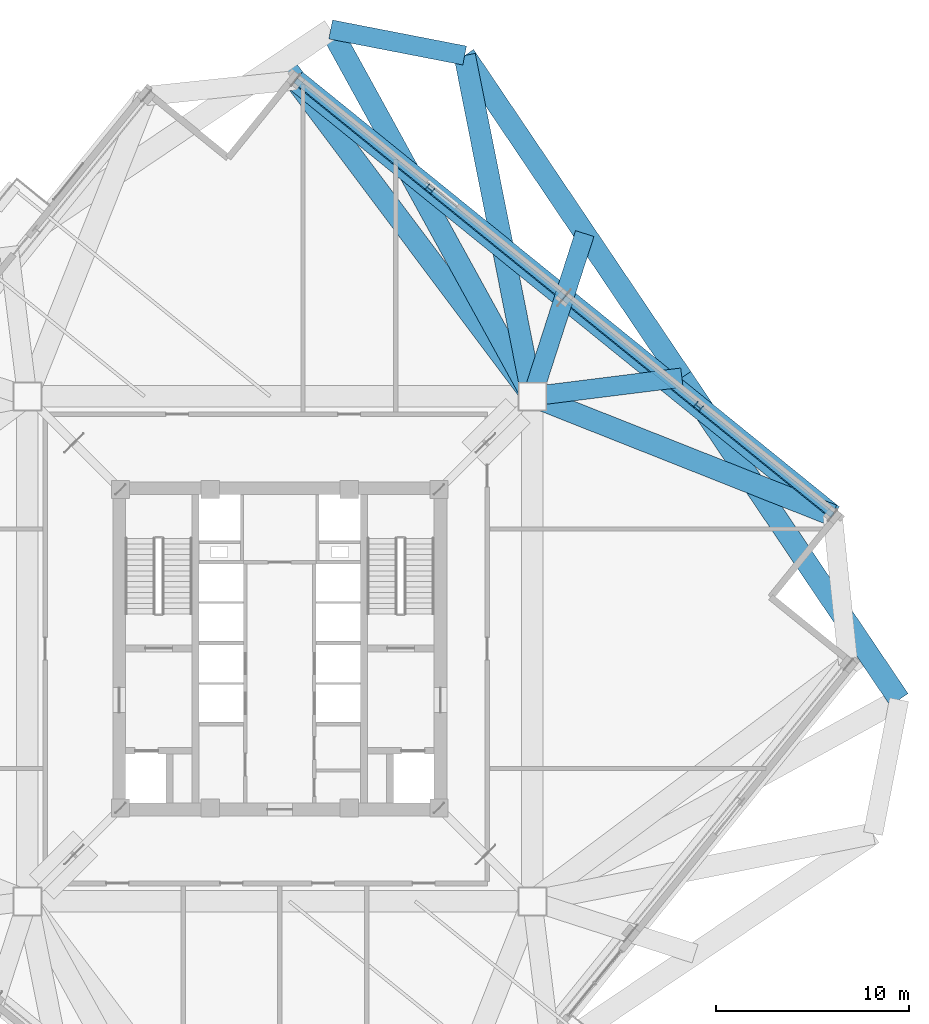
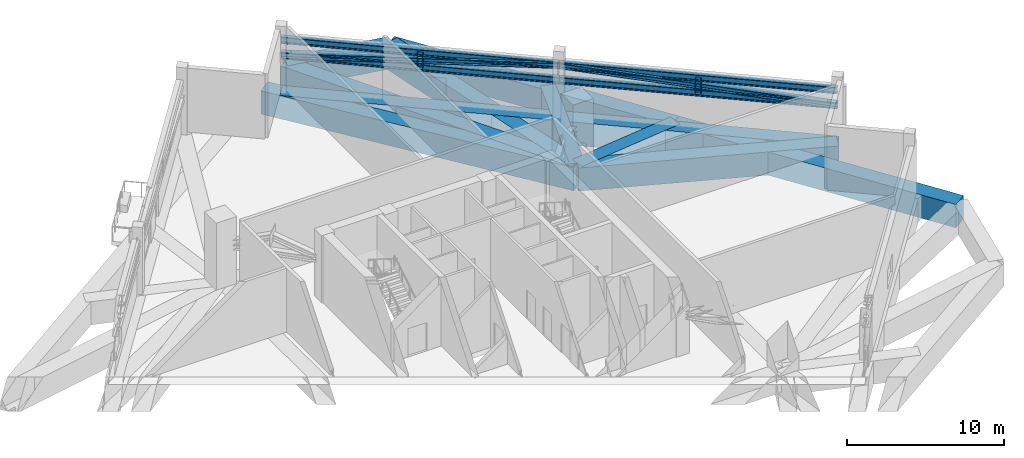
# One storey, part 11 of 22: 11 beams, 8 members.
"""IFC4 building model written with IfcOpenShell, lengths in metres."""

from ifc_helpers import new_model, si_unit, direction, frame, origin, origin_2d, place, context, subcontext, project, spatial, rectangle, i_section, extrude, source, transform, mapped, material, material_profile, profile_set, type_object, element, save


model = new_model("IFC4")

# Units and contexts
model_context = context("Model", 3, precision=1e-05, world=origin(), true_north=direction((0.0, 1.0)))
body_context = subcontext(model_context, "Body", "Model", "MODEL_VIEW")
ifc_project = project(units=[si_unit("LENGTHUNIT", "METRE"), si_unit("AREAUNIT", "SQUARE_METRE"), si_unit("VOLUMEUNIT", "CUBIC_METRE"), si_unit("PLANEANGLEUNIT", "RADIAN"), si_unit("MASSUNIT", "GRAM", prefix="KILO"), si_unit("THERMODYNAMICTEMPERATUREUNIT", "KELVIN")], contexts=[model_context])

# Site, building, storey
site_placement = place(None, origin())
site = spatial("IfcSite", under=ifc_project, at=site_placement, CompositionType="ELEMENT")
building_placement = place(site_placement, origin())
building = spatial("IfcBuilding", under=site, at=building_placement, Name="Kosmvard Interchange Tower", CompositionType="ELEMENT")
storey_placement = place(building_placement, frame((0.0, 0.0, 200.39990234375)))
storey = spatial("IfcBuildingStorey", under=building, at=storey_placement, Name="L48", CompositionType="ELEMENT", Elevation=200.39990234375)

# Beams
ifc_material_1 = material(Name="Concrete C60/75", Category="concrete")
ifc_material_profile_1 = material_profile(ifc_material_1, rectangle(XDim=1.1201171875, YDim=1.800048828125, at=origin_2d()), Name="TG 1120x1800")
ifc_profile_set_1 = profile_set([ifc_material_profile_1], Name="Concrete C60/75")
beam_type_1 = type_object("IfcBeamType", Name="Zone Long-Span Transfer Girder 1120x1800 C60/75", PredefinedType="USERDEFINED", material=ifc_profile_set_1)
shared_shape_1 = source(origin(), body_context, "Body", "SweptSolid", [
    extrude(rectangle(XDim=1.1201171875, YDim=1.800048828125, at=origin_2d()), origin(), (0.0, 0.0, 1.0), 21.684326171875),
])
beam_1_placement = place(storey_placement, frame((13.0810546875, 13.0810546875, -0.89990234375), z_axis=(-0.48174456271, 0.876311689012, 0.0), x_axis=(-0.876311689012, -0.48174456271, 0.0)))
element("IfcBeam", 1, at=beam_1_placement, inside=storey, type_object=beam_type_1, Name="BM-L48-LD07", ObjectType="TRANSFER_GIRDER", PredefinedType="USERDEFINED", context=body_context, shape_type="MappedRepresentation", body=[
    mapped(shared_shape_1, transform((0.0, 0.0, 0.0), scale=1.0)),
])
shared_shape_2 = source(origin(), body_context, "Body", "SweptSolid", [
    extrude(rectangle(XDim=1.1201171875, YDim=1.800048828125, at=origin_2d()), origin(), (0.0, 0.0, 1.0), 20.125),
])
for number, where, z_axis, x_axis, name in (
    (2, (32.083251953125, -2.634765625, -0.89990234375), (-0.559185299051, 0.82904270175, 0.0), (-0.82904270175, -0.559185299051, 0.0), "BM-L48-LR04"),
    (3, (20.82958984375, 14.0498046875, -0.89990234375), (-0.559190922956, 0.829038908426, 0.0), (-0.829038908426, -0.559190922956, 0.0), "BM-L48-LR05"),
):
    element("IfcBeam", number, at=place(storey_placement, frame(where, z_axis=z_axis, x_axis=x_axis)), inside=storey, type_object=beam_type_1, Name=name, ObjectType="TRANSFER_GIRDER", PredefinedType="USERDEFINED", context=body_context, shape_type="MappedRepresentation", body=[
        mapped(shared_shape_2, transform((0.0, 0.0, 0.0), scale=1.0)),
    ])
ifc_material_profile_2 = material_profile(ifc_material_1, rectangle(XDim=1.0, YDim=1.800048828125, at=origin_2d()), Name="TG 1000x1800")
ifc_profile_set_2 = profile_set([ifc_material_profile_2], Name="Concrete C60/75")
beam_type_2 = type_object("IfcBeamType", Name="Zone Transfer Ring Girder 1000x1800 C60/75", PredefinedType="USERDEFINED", material=ifc_profile_set_2)
shared_shape_3 = source(origin(), body_context, "Body", "SweptSolid", [
    extrude(rectangle(XDim=1.0, YDim=1.800048828125, at=origin_2d()), origin(), (0.0, 0.0, 1.0), 7.071044921875),
])
beam_2_placement = place(storey_placement, frame((9.575927734375, 30.734130859375, -0.89990234375), z_axis=(-0.981629941956, 0.190794803533, 0.0), x_axis=(-0.190794803533, -0.981629941956, 0.0)))
element("IfcBeam", 4, at=beam_2_placement, inside=storey, type_object=beam_type_2, Name="BM-L48-LR06", ObjectType="TRANSFER_GIRDER", PredefinedType="USERDEFINED", context=body_context, shape_type="MappedRepresentation", body=[
    mapped(shared_shape_3, transform((0.0, 0.0, 0.0), scale=1.0)),
])
shared_shape_4 = source(origin(), body_context, "Body", "SweptSolid", [
    extrude(rectangle(XDim=1.0, YDim=1.800048828125, at=origin_2d()), origin(), (0.0, 0.0, 1.0), 7.808837890625),
])
beam_3_placement = place(storey_placement, frame((13.0810546875, 13.0810546875, -0.89990234375), z_axis=(0.992274990485, 0.12405782224, 0.0), x_axis=(-0.12405782224, 0.992274990485, 0.0)))
element("IfcBeam", 5, at=beam_3_placement, inside=storey, type_object=beam_type_2, Name="BM-L48-LD05", ObjectType="TRANSFER_GIRDER", PredefinedType="USERDEFINED", context=body_context, shape_type="MappedRepresentation", body=[
    mapped(shared_shape_4, transform((0.0, 0.0, 0.0), scale=1.0)),
])
shared_shape_5 = source(origin(), body_context, "Body", "SweptSolid", [
    extrude(rectangle(XDim=1.1201171875, YDim=1.800048828125, at=origin_2d()), origin(), (0.0, 0.0, 1.0), 17.997802734375),
])
beam_4_placement = place(storey_placement, frame((13.0810546875, 13.0810546875, -0.89990234375), z_axis=(-0.194754218148, 0.980852075755, 0.0), x_axis=(-0.980852075755, -0.194754218148, 0.0)))
element("IfcBeam", 6, at=beam_4_placement, inside=storey, type_object=beam_type_1, Name="BM-L48-LD06", ObjectType="TRANSFER_GIRDER", PredefinedType="USERDEFINED", context=body_context, shape_type="MappedRepresentation", body=[
    mapped(shared_shape_5, transform((0.0, 0.0, 0.0), scale=1.0)),
])
shared_shape_6 = source(origin(), body_context, "Body", "SweptSolid", [
    extrude(rectangle(XDim=1.1201171875, YDim=1.800048828125, at=origin_2d()), origin(), (0.0, 0.0, 1.0), 16.7314453125),
])
beam_5_placement = place(storey_placement, frame((13.0810546875, 13.0810546875, -0.89990234375), z_axis=(0.929743244223, -0.368208500474, 0.0), x_axis=(0.368208500474, 0.929743244223, 0.0)))
element("IfcBeam", 7, at=beam_5_placement, inside=storey, type_object=beam_type_1, Name="BM-L48-RD04", ObjectType="TRANSFER_GIRDER", PredefinedType="USERDEFINED", context=body_context, shape_type="MappedRepresentation", body=[
    mapped(shared_shape_6, transform((0.0, 0.0, 0.0), scale=1.0)),
])
shared_shape_7 = source(origin(), body_context, "Body", "SweptSolid", [
    extrude(rectangle(XDim=1.1201171875, YDim=1.800048828125, at=origin_2d()), origin(), (0.0, 0.0, 1.0), 17.89990234375),
])
for number, where, z_axis, x_axis, name in (
    (8, (28.636962890625, 6.92041015625, -0.89990234375), (-0.777143856413, 0.629322990554, 0.0), (-0.629322990554, -0.777143856413, 0.0), "BM-L48-PR04"),
    (9, (14.72607421875, 18.185302734375, -0.89990234375), (-0.777150526976, 0.629314753061, 0.0), (-0.629314753061, -0.777150526976, 0.0), "BM-L48-PR05"),
):
    element("IfcBeam", number, at=place(storey_placement, frame(where, z_axis=z_axis, x_axis=x_axis)), inside=storey, type_object=beam_type_1, Name=name, ObjectType="TRANSFER_GIRDER", PredefinedType="USERDEFINED", context=body_context, shape_type="MappedRepresentation", body=[
        mapped(shared_shape_7, transform((0.0, 0.0, 0.0), scale=1.0)),
    ])
shared_shape_8 = source(origin(), body_context, "Body", "SweptSolid", [
    extrude(rectangle(XDim=1.0, YDim=1.800048828125, at=origin_2d()), origin(), (0.0, 0.0, 1.0), 8.855712890625),
])
beam_6_placement = place(storey_placement, frame((13.0810546875, 13.0810546875, -0.89990234375), z_axis=(0.306758703569, 0.951787317516, 0.0), x_axis=(-0.951787317516, 0.306758703569, 0.0)))
element("IfcBeam", 10, at=beam_6_placement, inside=storey, type_object=beam_type_2, Name="BM-L48-RD05", ObjectType="TRANSFER_GIRDER", PredefinedType="USERDEFINED", context=body_context, shape_type="MappedRepresentation", body=[
    mapped(shared_shape_8, transform((0.0, 0.0, 0.0), scale=1.0)),
])
shared_shape_9 = source(origin(), body_context, "Body", "SweptSolid", [
    extrude(rectangle(XDim=1.1201171875, YDim=1.800048828125, at=origin_2d()), origin(), (0.0, 0.0, 1.0), 21.621826171875),
])
beam_7_placement = place(storey_placement, frame((13.0810546875, 13.0810546875, -0.89990234375), z_axis=(-0.599662108692, 0.800253307022, 0.0), x_axis=(-0.800253307022, -0.599662108692, 0.0)))
element("IfcBeam", 11, at=beam_7_placement, inside=storey, type_object=beam_type_1, Name="BM-L48-RD06", ObjectType="TRANSFER_GIRDER", PredefinedType="USERDEFINED", context=body_context, shape_type="MappedRepresentation", body=[
    mapped(shared_shape_9, transform((0.0, 0.0, 0.0), scale=1.0)),
])

# Members
ifc_material_2 = material(Name="Steel S460", Category="steel")
ifc_material_profile_3 = material_profile(ifc_material_2, i_section(OverallWidth=0.300048828125, OverallDepth=0.5, WebThickness=0.014404296875, FlangeThickness=0.028076171875, FilletRadius=0.027099609375, at=origin_2d()), Name="HEB 500")
ifc_profile_set_3 = profile_set([ifc_material_profile_3], Name="Steel S460")
member_type_1 = type_object("IfcMemberType", Name="Belt Truss Chord HEB 500 S460", PredefinedType="CHORD", material=ifc_profile_set_3)
shared_shape_10 = source(origin(), body_context, "Body", "SweptSolid", [
    extrude(i_section(OverallWidth=0.300048828125, OverallDepth=0.5, WebThickness=0.014404296875, FlangeThickness=0.028076171875, FilletRadius=0.027099609375, at=origin_2d()), origin(), (0.0, 0.0, 1.0), 17.89990234375),
])
for number, where, z_axis, x_axis, name in (
    (12, (28.636962890625, 6.92041015625, 2.820068359375), (-0.777143856413, 0.629322990554, 0.0), (-0.629322990554, -0.777143856413, 0.0), "L48 Belt Truss Bottom Chord E1"),
    (13, (28.636962890625, 6.92041015625, 3.97998046875), (-0.777143856413, 0.629322990554, 0.0), (-0.629322990554, -0.777143856413, 0.0), "L48 Belt Truss Top Chord E1"),
    (14, (14.72607421875, 18.185302734375, 2.820068359375), (-0.777150526976, 0.629314753061, 0.0), (-0.629314753061, -0.777150526976, 0.0), "L48 Belt Truss Bottom Chord E2"),
    (15, (14.72607421875, 18.185302734375, 3.97998046875), (-0.777150526976, 0.629314753061, 0.0), (-0.629314753061, -0.777150526976, 0.0), "L48 Belt Truss Top Chord E2"),
):
    element("IfcMember", number, at=place(storey_placement, frame(where, z_axis=z_axis, x_axis=x_axis)), inside=storey, type_object=member_type_1, Name=name, PredefinedType="CHORD", context=body_context, shape_type="MappedRepresentation", body=[
        mapped(shared_shape_10, transform((0.0, 0.0, 0.0), scale=1.0)),
    ])
ifc_material_profile_4 = material_profile(ifc_material_2, i_section(OverallWidth=0.3759765625, OverallDepth=0.386962890625, WebThickness=0.01953125, FlangeThickness=0.031982421875, FilletRadius=0.014892578125, at=origin_2d()), Name="HD 360x329")
ifc_profile_set_4 = profile_set([ifc_material_profile_4], Name="Steel S460")
member_type_2 = type_object("IfcMemberType", Name="Belt Truss Vertical Post HD 360x329 S460", PredefinedType="STUD", material=ifc_profile_set_4)
shared_shape_11 = source(origin(), body_context, "Body", "SweptSolid", [
    extrude(i_section(OverallWidth=0.3759765625, OverallDepth=0.386962890625, WebThickness=0.01953125, FlangeThickness=0.031982421875, FilletRadius=0.014892578125, at=origin_2d()), origin(), (0.0, 0.0, 1.0), 1.159912109375),
])
for number, where, z_axis, x_axis, name in (
    (16, (21.681640625, 12.552734375, 2.820068359375), (0.0, 0.0, 1.0), (0.62932039105, 0.777145961457, 0.0), "L48 Belt Truss Post E1"),
    (17, (7.770751953125, 23.817626953125, 2.820068359375), (0.0, 0.0, 1.0), (0.62932039105, 0.777145961457, 0.0), "L48 Belt Truss Post E2"),
):
    element("IfcMember", number, at=place(storey_placement, frame(where, z_axis=z_axis, x_axis=x_axis)), inside=storey, type_object=member_type_2, Name=name, PredefinedType="STUD", context=body_context, shape_type="MappedRepresentation", body=[
        mapped(shared_shape_11, transform((0.0, 0.0, 0.0), scale=1.0)),
    ])
ifc_material_profile_5 = material_profile(ifc_material_2, i_section(OverallWidth=0.406005859375, OverallDepth=0.416015625, WebThickness=0.021484375, FlangeThickness=0.034912109375, FilletRadius=0.014892578125, at=origin_2d()), Name="HD 400x382")
ifc_profile_set_5 = profile_set([ifc_material_profile_5], Name="Steel S460")
member_type_3 = type_object("IfcMemberType", Name="Perimeter Belt Truss Diagonal HD 400x382 S460", PredefinedType="BRACE", material=ifc_profile_set_5)
shared_shape_12 = source(origin(), body_context, "Body", "SweptSolid", [
    extrude(i_section(OverallWidth=0.406005859375, OverallDepth=0.416015625, WebThickness=0.021484375, FlangeThickness=0.034912109375, FilletRadius=0.014892578125, at=origin_2d()), origin(), (0.0, 0.0, 1.0), 17.9375),
])
for number, where, z_axis, x_axis, name in (
    (18, (28.636962890625, 6.92041015625, 2.820068359375), (-0.775517373126, 0.628005881349, 0.064663876862), (-0.629322990554, -0.777143856413, 0.0), "L48 Belt Truss Diagonal E1"),
    (19, (0.815185546875, 29.449951171875, 2.820068359375), (0.775524001894, -0.627997638558, 0.064664429579), (0.629314753061, 0.777150526976, 0.0), "L48 Belt Truss Diagonal E2"),
):
    element("IfcMember", number, at=place(storey_placement, frame(where, z_axis=z_axis, x_axis=x_axis)), inside=storey, type_object=member_type_3, Name=name, PredefinedType="BRACE", context=body_context, shape_type="MappedRepresentation", body=[
        mapped(shared_shape_12, transform((0.0, 0.0, 0.0), scale=1.0)),
    ])

save(model, "model.ifc")
